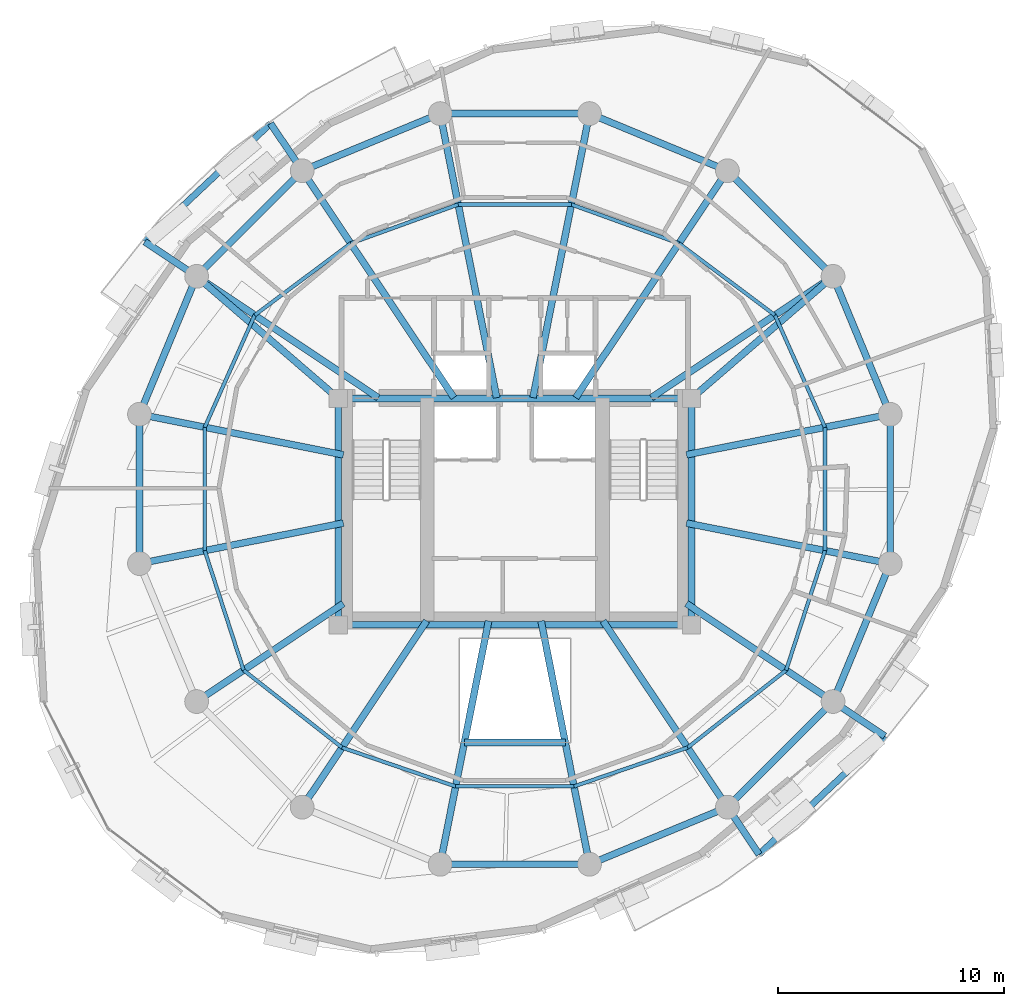
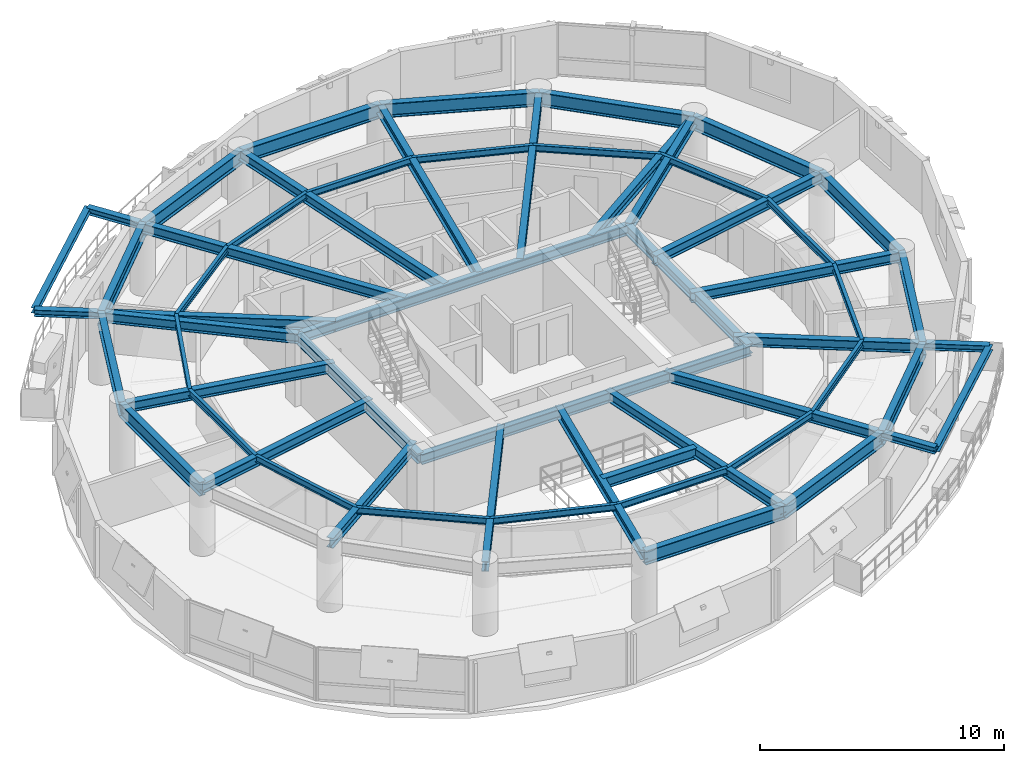
# One storey, part 5 of 12: 58 beams.
"""IFC4 building model written with IfcOpenShell, lengths in metres."""

from ifc_helpers import new_model, si_unit, direction, frame, origin, origin_2d, place, context, subcontext, project, spatial, i_section, extrude, material, material_profile, profile_set, type_object, element, save


model = new_model("IFC4")

# Units and contexts
model_context = context("Model", 3, precision=1e-05, world=origin(), true_north=direction((0.0, 1.0)))
body_context = subcontext(model_context, "Body", "Model", "MODEL_VIEW")
ifc_project = project(units=[si_unit("LENGTHUNIT", "METRE"), si_unit("AREAUNIT", "SQUARE_METRE"), si_unit("VOLUMEUNIT", "CUBIC_METRE"), si_unit("PLANEANGLEUNIT", "RADIAN"), si_unit("MASSUNIT", "GRAM", prefix="KILO"), si_unit("THERMODYNAMICTEMPERATUREUNIT", "KELVIN"), si_unit("POWERUNIT", "WATT")], contexts=[model_context])

# Site, building, storey
site_placement = place(None, origin())
site = spatial("IfcSite", under=ifc_project, at=site_placement, CompositionType="ELEMENT")
building_placement = place(site_placement, origin())
building = spatial("IfcBuilding", under=site, at=building_placement, Name="Ocrelia Relay Tower", CompositionType="ELEMENT")
storey_placement = place(building_placement, frame((0.0, 0.0, 198.800048828125)))
storey = spatial("IfcBuildingStorey", under=building, at=storey_placement, Name="L48", CompositionType="ELEMENT", Elevation=198.800048828125)

# Beams
ifc_material = material(Name="Steel S355", Category="steel")
ifc_material_profile_1 = material_profile(ifc_material, i_section(OverallWidth=0.280029296875, OverallDepth=0.27001953125, WebThickness=0.008056640625, FlangeThickness=0.012939453125, FilletRadius=0.02392578125, at=origin_2d()), Name="HEA 280")
ifc_profile_set_1 = profile_set([ifc_material_profile_1], Name="Steel S355")
beam_type_1 = type_object("IfcBeamType", Name="BM-HEA280", PredefinedType="BEAM", material=ifc_profile_set_1)
for number, where, z_axis, x_axis, name in (
    (1, (23.2158203125, 42.1396484375, 3.244873046875), (-0.728361680671, -0.685192864915, 0.0), (0.685192864915, -0.728361680671, 0.0), "L49 Balcony Edge Trimmer Beam B1"),
    (2, (44.7841796875, 9.8603515625, 3.244873046875), (0.728361680671, 0.685192864915, 0.0), (-0.685192864915, 0.728361680671, 0.0), "L49 Balcony Edge Trimmer Beam B2"),
):
    element("IfcBeam", number, at=place(storey_placement, frame(where, z_axis=z_axis, x_axis=x_axis)), inside=storey, type_object=beam_type_1, Name=name, PredefinedType="BEAM", context=body_context, shape_type="SweptSolid", body=[
        extrude(i_section(OverallWidth=0.280029296875, OverallDepth=0.27001953125, WebThickness=0.008056640625, FlangeThickness=0.012939453125, FilletRadius=0.02392578125, at=origin_2d()), origin(), (0.0, 0.0, 1.0), 7.62353515625),
    ])
ifc_material_profile_2 = material_profile(ifc_material, i_section(OverallWidth=0.300048828125, OverallDepth=0.330078125, WebThickness=0.009521484375, FlangeThickness=0.0166015625, FilletRadius=0.027099609375, at=origin_2d()), Name="HEA 340")
ifc_profile_set_2 = profile_set([ifc_material_profile_2], Name="Steel S355")
beam_type_2 = type_object("IfcBeamType", Name="BM-HEA340", PredefinedType="BEAM", material=ifc_profile_set_2)
beam_1_placement = place(storey_placement, frame((24.61083984375, 40.0517578125, 3.21484375), z_axis=(-0.555552507059, 0.831481456137, 0.0), x_axis=(-0.831481456137, -0.555552507059, 0.0)))
element("IfcBeam", 3, at=beam_1_placement, inside=storey, type_object=beam_type_2, Name="L49 Balcony Cantilever Beam B1-1", PredefinedType="BEAM", context=body_context, shape_type="SweptSolid", body=[
    extrude(i_section(OverallWidth=0.300048828125, OverallDepth=0.330078125, WebThickness=0.009521484375, FlangeThickness=0.0166015625, FilletRadius=0.027099609375, at=origin_2d()), origin(), (0.0, 0.0, 1.0), 2.510986328125),
])
beam_2_placement = place(storey_placement, frame((19.9482421875, 35.38916015625, 3.21484375), z_axis=(-0.831475851727, 0.555560894947, 0.0), x_axis=(-0.555560894947, -0.831475851727, 0.0)))
element("IfcBeam", 4, at=beam_2_placement, inside=storey, type_object=beam_type_2, Name="L49 Balcony Cantilever Beam B1-2", PredefinedType="BEAM", context=body_context, shape_type="SweptSolid", body=[
    extrude(i_section(OverallWidth=0.300048828125, OverallDepth=0.330078125, WebThickness=0.009521484375, FlangeThickness=0.0166015625, FilletRadius=0.027099609375, at=origin_2d()), origin(), (0.0, 0.0, 1.0), 2.748291015625),
])
beam_3_placement = place(storey_placement, frame((43.38916015625, 11.9482421875, 3.21484375), z_axis=(0.555552507059, -0.831481456137, 0.0), x_axis=(0.831481456137, 0.555552507059, 0.0)))
element("IfcBeam", 5, at=beam_3_placement, inside=storey, type_object=beam_type_2, Name="L49 Balcony Cantilever Beam B2-1", PredefinedType="BEAM", context=body_context, shape_type="SweptSolid", body=[
    extrude(i_section(OverallWidth=0.300048828125, OverallDepth=0.330078125, WebThickness=0.009521484375, FlangeThickness=0.0166015625, FilletRadius=0.027099609375, at=origin_2d()), origin(), (0.0, 0.0, 1.0), 2.510986328125),
])
beam_4_placement = place(storey_placement, frame((48.0517578125, 16.61083984375, 3.21484375), z_axis=(0.831475851727, -0.555560894947, 0.0), x_axis=(0.555560894947, 0.831475851727, 0.0)))
element("IfcBeam", 6, at=beam_4_placement, inside=storey, type_object=beam_type_2, Name="L49 Balcony Cantilever Beam B2-2", PredefinedType="BEAM", context=body_context, shape_type="SweptSolid", body=[
    extrude(i_section(OverallWidth=0.300048828125, OverallDepth=0.330078125, WebThickness=0.009521484375, FlangeThickness=0.0166015625, FilletRadius=0.027099609375, at=origin_2d()), origin(), (0.0, 0.0, 1.0), 2.748291015625),
])
ifc_material_profile_3 = material_profile(ifc_material, i_section(OverallWidth=0.300048828125, OverallDepth=0.5, WebThickness=0.014404296875, FlangeThickness=0.028076171875, FilletRadius=0.027099609375, at=origin_2d()), Name="HEB 500")
ifc_profile_set_3 = profile_set([ifc_material_profile_3], Name="Steel S355")
beam_type_3 = type_object("IfcBeamType", Name="BM-HEB500", PredefinedType="BEAM", material=ifc_profile_set_3)
for number, where, z_axis, x_axis, name in (
    (7, (26.199951171875, 20.0, 3.1298828125), (1.0, 0.0, 0.0), (0.0, 1.0, 0.0), "L48 Core Pilaster Tie Beam S"),
    (8, (26.199951171875, 30.0, 3.1298828125), (1.0, 0.0, 0.0), (0.0, 1.0, 0.0), "L48 Core Pilaster Tie Beam N"),
):
    element("IfcBeam", number, at=place(storey_placement, frame(where, z_axis=z_axis, x_axis=x_axis)), inside=storey, type_object=beam_type_3, Name=name, PredefinedType="BEAM", context=body_context, shape_type="SweptSolid", body=[
        extrude(i_section(OverallWidth=0.300048828125, OverallDepth=0.5, WebThickness=0.014404296875, FlangeThickness=0.028076171875, FilletRadius=0.027099609375, at=origin_2d()), origin(), (0.0, 0.0, 1.0), 15.60009765625),
    ])
for number, where, z_axis, x_axis, name in (
    (9, (26.199951171875, 20.0, 3.1298828125), (0.0, 1.0, 0.0), (-1.0, 0.0, 0.0), "L48 Core Pilaster Tie Beam W"),
    (10, (41.800048828125, 20.0, 3.1298828125), (0.0, 1.0, 0.0), (-1.0, 0.0, 0.0), "L48 Core Pilaster Tie Beam E"),
):
    element("IfcBeam", number, at=place(storey_placement, frame(where, z_axis=z_axis, x_axis=x_axis)), inside=storey, type_object=beam_type_3, Name=name, PredefinedType="BEAM", context=body_context, shape_type="SweptSolid", body=[
        extrude(i_section(OverallWidth=0.300048828125, OverallDepth=0.5, WebThickness=0.014404296875, FlangeThickness=0.028076171875, FilletRadius=0.027099609375, at=origin_2d()), origin(), (0.0, 0.0, 1.0), 10.0),
    ])
beam_5_placement = place(storey_placement, frame((50.5751953125, 29.297119140625, 3.1298828125), z_axis=(-0.980783891197, -0.1950973059, 0.0), x_axis=(0.1950973059, -0.980783891197, 0.0)))
element("IfcBeam", 11, at=beam_5_placement, inside=storey, type_object=beam_type_3, Name="L48 Radial Floor Girder R01", PredefinedType="BEAM", context=body_context, shape_type="SweptSolid", body=[
    extrude(i_section(OverallWidth=0.300048828125, OverallDepth=0.5, WebThickness=0.014404296875, FlangeThickness=0.028076171875, FilletRadius=0.027099609375, at=origin_2d()), origin(), (0.0, 0.0, 1.0), 9.17138671875),
])
beam_6_placement = place(storey_placement, frame((48.0517578125, 35.38916015625, 3.1298828125), z_axis=(-0.831469666235, -0.555570152305, 0.0), x_axis=(0.555570152305, -0.831469666235, 0.0)))
element("IfcBeam", 12, at=beam_6_placement, inside=storey, type_object=beam_type_3, Name="L48 Radial Floor Girder R02", PredefinedType="BEAM", context=body_context, shape_type="SweptSolid", body=[
    extrude(i_section(OverallWidth=0.300048828125, OverallDepth=0.5, WebThickness=0.014404296875, FlangeThickness=0.028076171875, FilletRadius=0.027099609375, at=origin_2d()), origin(), (0.0, 0.0, 1.0), 9.646240234375),
])
beam_7_placement = place(storey_placement, frame((48.0517578125, 35.38916015625, 3.1298828125), z_axis=(-0.757424589403, -0.652922653434, 0.0), x_axis=(0.652922653434, -0.757424589403, 0.0)))
element("IfcBeam", 13, at=beam_7_placement, inside=storey, type_object=beam_type_3, Name="L48 Core Pilaster Frame Tie Beam PT02", PredefinedType="BEAM", context=body_context, shape_type="SweptSolid", body=[
    extrude(i_section(OverallWidth=0.300048828125, OverallDepth=0.5, WebThickness=0.014404296875, FlangeThickness=0.028076171875, FilletRadius=0.027099609375, at=origin_2d()), origin(), (0.0, 0.0, 1.0), 8.25390625),
])
beam_8_placement = place(storey_placement, frame((43.38916015625, 40.0517578125, 3.1298828125), z_axis=(-0.55556932408, -0.831470219636, 0.0), x_axis=(0.831470219636, -0.55556932408, 0.0)))
element("IfcBeam", 14, at=beam_8_placement, inside=storey, type_object=beam_type_3, Name="L48 Radial Floor Girder R03", PredefinedType="BEAM", context=body_context, shape_type="SweptSolid", body=[
    extrude(i_section(OverallWidth=0.300048828125, OverallDepth=0.5, WebThickness=0.014404296875, FlangeThickness=0.028076171875, FilletRadius=0.027099609375, at=origin_2d()), origin(), (0.0, 0.0, 1.0), 12.052978515625),
])
for number, where, z_axis, x_axis, name in (
    (15, (37.297119140625, 42.5751953125, 3.1298828125), (-0.195106626135, -0.980782037171, 0.0), (0.980782037171, -0.195106626135, 0.0), "L48 Radial Floor Girder R04"),
    (16, (30.702880859375, 42.5751953125, 3.1298828125), (0.195106626135, -0.980782037171, 0.0), (0.980782037171, 0.195106626135, 0.0), "L48 Radial Floor Girder R05"),
):
    element("IfcBeam", number, at=place(storey_placement, frame(where, z_axis=z_axis, x_axis=x_axis)), inside=storey, type_object=beam_type_3, Name=name, PredefinedType="BEAM", context=body_context, shape_type="SweptSolid", body=[
        extrude(i_section(OverallWidth=0.300048828125, OverallDepth=0.5, WebThickness=0.014404296875, FlangeThickness=0.028076171875, FilletRadius=0.027099609375, at=origin_2d()), origin(), (0.0, 0.0, 1.0), 12.791015625),
    ])
beam_9_placement = place(storey_placement, frame((24.61083984375, 40.0517578125, 3.1298828125), z_axis=(0.55556932408, -0.831470219636, 0.0), x_axis=(0.831470219636, 0.55556932408, 0.0)))
element("IfcBeam", 17, at=beam_9_placement, inside=storey, type_object=beam_type_3, Name="L48 Radial Floor Girder R06", PredefinedType="BEAM", context=body_context, shape_type="SweptSolid", body=[
    extrude(i_section(OverallWidth=0.300048828125, OverallDepth=0.5, WebThickness=0.014404296875, FlangeThickness=0.028076171875, FilletRadius=0.027099609375, at=origin_2d()), origin(), (0.0, 0.0, 1.0), 12.052978515625),
])
beam_10_placement = place(storey_placement, frame((19.9482421875, 35.38916015625, 3.1298828125), z_axis=(0.831469666235, -0.555570152305, 0.0), x_axis=(0.555570152305, 0.831469666235, 0.0)))
element("IfcBeam", 18, at=beam_10_placement, inside=storey, type_object=beam_type_3, Name="L48 Radial Floor Girder R07", PredefinedType="BEAM", context=body_context, shape_type="SweptSolid", body=[
    extrude(i_section(OverallWidth=0.300048828125, OverallDepth=0.5, WebThickness=0.014404296875, FlangeThickness=0.028076171875, FilletRadius=0.027099609375, at=origin_2d()), origin(), (0.0, 0.0, 1.0), 9.646240234375),
])
beam_11_placement = place(storey_placement, frame((19.9482421875, 35.38916015625, 3.1298828125), z_axis=(0.757424589403, -0.652922653434, 0.0), x_axis=(0.652922653434, 0.757424589403, 0.0)))
element("IfcBeam", 19, at=beam_11_placement, inside=storey, type_object=beam_type_3, Name="L48 Core Pilaster Frame Tie Beam PT07", PredefinedType="BEAM", context=body_context, shape_type="SweptSolid", body=[
    extrude(i_section(OverallWidth=0.300048828125, OverallDepth=0.5, WebThickness=0.014404296875, FlangeThickness=0.028076171875, FilletRadius=0.027099609375, at=origin_2d()), origin(), (0.0, 0.0, 1.0), 8.25390625),
])
for number, where, z_axis, x_axis, name in (
    (20, (17.4248046875, 29.297119140625, 3.1298828125), (0.980784683446, -0.195093323097, 0.0), (0.195093323097, 0.980784683446, 0.0), "L48 Radial Floor Girder R08"),
    (21, (17.4248046875, 22.702880859375, 3.1298828125), (0.980784683446, 0.195093323097, 0.0), (-0.195093323097, 0.980784683446, 0.0), "L48 Radial Floor Girder R09"),
):
    element("IfcBeam", number, at=place(storey_placement, frame(where, z_axis=z_axis, x_axis=x_axis)), inside=storey, type_object=beam_type_3, Name=name, PredefinedType="BEAM", context=body_context, shape_type="SweptSolid", body=[
        extrude(i_section(OverallWidth=0.300048828125, OverallDepth=0.5, WebThickness=0.014404296875, FlangeThickness=0.028076171875, FilletRadius=0.027099609375, at=origin_2d()), origin(), (0.0, 0.0, 1.0), 9.181640625),
    ])
beam_12_placement = place(storey_placement, frame((19.9482421875, 16.61083984375, 3.1298828125), z_axis=(0.831462012084, 0.555581607382, 0.0), x_axis=(-0.555581607382, 0.831462012084, 0.0)))
element("IfcBeam", 22, at=beam_12_placement, inside=storey, type_object=beam_type_3, Name="L48 Radial Floor Girder R10", PredefinedType="BEAM", context=body_context, shape_type="SweptSolid", body=[
    extrude(i_section(OverallWidth=0.300048828125, OverallDepth=0.5, WebThickness=0.014404296875, FlangeThickness=0.028076171875, FilletRadius=0.027099609375, at=origin_2d()), origin(), (0.0, 0.0, 1.0), 7.795654296875),
])
beam_13_placement = place(storey_placement, frame((24.61083984375, 11.9482421875, 3.1298828125), z_axis=(0.555577337069, 0.831464865485, 0.0), x_axis=(-0.831464865485, 0.555577337069, 0.0)))
element("IfcBeam", 23, at=beam_13_placement, inside=storey, type_object=beam_type_3, Name="L48 Radial Floor Girder R11", PredefinedType="BEAM", context=body_context, shape_type="SweptSolid", body=[
    extrude(i_section(OverallWidth=0.300048828125, OverallDepth=0.5, WebThickness=0.014404296875, FlangeThickness=0.028076171875, FilletRadius=0.027099609375, at=origin_2d()), origin(), (0.0, 0.0, 1.0), 9.88818359375),
])
for number, where, z_axis, x_axis, name in (
    (24, (30.702880859375, 9.4248046875, 3.1298828125), (0.195100373206, 0.980783281044, 0.0), (-0.980783281044, 0.195100373206, 0.0), "L48 Radial Floor Girder R12"),
    (25, (37.297119140625, 9.4248046875, 3.1298828125), (-0.195100373206, 0.980783281044, 0.0), (-0.980783281044, -0.195100373206, 0.0), "L48 Radial Floor Girder R13"),
):
    element("IfcBeam", number, at=place(storey_placement, frame(where, z_axis=z_axis, x_axis=x_axis)), inside=storey, type_object=beam_type_3, Name=name, PredefinedType="BEAM", context=body_context, shape_type="SweptSolid", body=[
        extrude(i_section(OverallWidth=0.300048828125, OverallDepth=0.5, WebThickness=0.014404296875, FlangeThickness=0.028076171875, FilletRadius=0.027099609375, at=origin_2d()), origin(), (0.0, 0.0, 1.0), 10.95556640625),
    ])
beam_14_placement = place(storey_placement, frame((43.38916015625, 11.9482421875, 3.1298828125), z_axis=(-0.555577337069, 0.831464865485, 0.0), x_axis=(-0.831464865485, -0.555577337069, 0.0)))
element("IfcBeam", 26, at=beam_14_placement, inside=storey, type_object=beam_type_3, Name="L48 Radial Floor Girder R14", PredefinedType="BEAM", context=body_context, shape_type="SweptSolid", body=[
    extrude(i_section(OverallWidth=0.300048828125, OverallDepth=0.5, WebThickness=0.014404296875, FlangeThickness=0.028076171875, FilletRadius=0.027099609375, at=origin_2d()), origin(), (0.0, 0.0, 1.0), 9.88818359375),
])
beam_15_placement = place(storey_placement, frame((48.0517578125, 16.61083984375, 3.1298828125), z_axis=(-0.831456272244, 0.555590197309, 0.0), x_axis=(-0.555590197309, -0.831456272244, 0.0)))
element("IfcBeam", 27, at=beam_15_placement, inside=storey, type_object=beam_type_3, Name="L48 Radial Floor Girder R15", PredefinedType="BEAM", context=body_context, shape_type="SweptSolid", body=[
    extrude(i_section(OverallWidth=0.300048828125, OverallDepth=0.5, WebThickness=0.014404296875, FlangeThickness=0.028076171875, FilletRadius=0.027099609375, at=origin_2d()), origin(), (0.0, 0.0, 1.0), 7.783447265625),
])
beam_16_placement = place(storey_placement, frame((50.5751953125, 22.702880859375, 3.1298828125), z_axis=(-0.980783891197, 0.1950973059, 0.0), x_axis=(-0.1950973059, -0.980783891197, 0.0)))
element("IfcBeam", 28, at=beam_16_placement, inside=storey, type_object=beam_type_3, Name="L48 Radial Floor Girder R16", PredefinedType="BEAM", context=body_context, shape_type="SweptSolid", body=[
    extrude(i_section(OverallWidth=0.300048828125, OverallDepth=0.5, WebThickness=0.014404296875, FlangeThickness=0.028076171875, FilletRadius=0.027099609375, at=origin_2d()), origin(), (0.0, 0.0, 1.0), 9.17138671875),
])
ifc_material_profile_4 = material_profile(ifc_material, i_section(OverallWidth=0.300048828125, OverallDepth=0.550048828125, WebThickness=0.014892578125, FlangeThickness=0.029052734375, FilletRadius=0.027099609375, at=origin_2d()), Name="HEB 550")
ifc_profile_set_4 = profile_set([ifc_material_profile_4], Name="Steel S355")
beam_type_4 = type_object("IfcBeamType", Name="BM-HEB550", PredefinedType="BEAM", material=ifc_profile_set_4)
beam_17_placement = place(storey_placement, frame((31.772216796875, 14.800048828125, 3.10498046875), z_axis=(1.0, 0.0, 0.0), x_axis=(0.0, 1.0, 0.0)))
element("IfcBeam", 29, at=beam_17_placement, inside=storey, type_object=beam_type_4, Name="L48 Atrium South Trimmer Beam", PredefinedType="BEAM", context=body_context, shape_type="SweptSolid", body=[
    extrude(i_section(OverallWidth=0.300048828125, OverallDepth=0.550048828125, WebThickness=0.014892578125, FlangeThickness=0.029052734375, FilletRadius=0.027099609375, at=origin_2d()), origin(), (0.0, 0.0, 1.0), 4.45556640625),
])
ifc_material_profile_5 = material_profile(ifc_material, i_section(OverallWidth=0.300048828125, OverallDepth=0.699951171875, WebThickness=0.01708984375, FlangeThickness=0.031982421875, FilletRadius=0.027099609375, at=origin_2d()), Name="HEB 700")
ifc_profile_set_5 = profile_set([ifc_material_profile_5], Name="Steel S355")
beam_type_5 = type_object("IfcBeamType", Name="BM-HEB700", PredefinedType="BEAM", material=ifc_profile_set_5)
for number, where, z_axis, x_axis, name in (
    (30, (50.5751953125, 29.297119140625, 3.030029296875), (-0.382687508402, 0.923877844151, 0.0), (-0.923877844151, -0.382687508402, 0.0), "L48 Perimeter Spandrel Beam S01"),
    (31, (48.0517578125, 35.38916015625, 3.030029296875), (-0.707106781187, 0.707106781187, 0.0), (-0.707106781187, -0.707106781187, 0.0), "L48 Perimeter Spandrel Beam S02"),
    (32, (43.38916015625, 40.0517578125, 3.030029296875), (-0.923877844151, 0.382687508402, 0.0), (-0.382687508402, -0.923877844151, 0.0), "L48 Perimeter Spandrel Beam S03"),
):
    element("IfcBeam", number, at=place(storey_placement, frame(where, z_axis=z_axis, x_axis=x_axis)), inside=storey, type_object=beam_type_5, Name=name, PredefinedType="BEAM", context=body_context, shape_type="SweptSolid", body=[
        extrude(i_section(OverallWidth=0.300048828125, OverallDepth=0.699951171875, WebThickness=0.01708984375, FlangeThickness=0.031982421875, FilletRadius=0.027099609375, at=origin_2d()), origin(), (0.0, 0.0, 1.0), 6.593994140625),
    ])
beam_18_placement = place(storey_placement, frame((37.297119140625, 42.5751953125, 3.030029296875), z_axis=(-1.0, 0.0, 0.0), x_axis=(0.0, -1.0, 0.0)))
element("IfcBeam", 33, at=beam_18_placement, inside=storey, type_object=beam_type_5, Name="L48 Perimeter Spandrel Beam S04", PredefinedType="BEAM", context=body_context, shape_type="SweptSolid", body=[
    extrude(i_section(OverallWidth=0.300048828125, OverallDepth=0.699951171875, WebThickness=0.01708984375, FlangeThickness=0.031982421875, FilletRadius=0.027099609375, at=origin_2d()), origin(), (0.0, 0.0, 1.0), 6.59423828125),
])
for number, where, z_axis, x_axis, name in (
    (34, (30.702880859375, 42.5751953125, 3.030029296875), (-0.923877844151, -0.382687508402, 0.0), (0.382687508402, -0.923877844151, 0.0), "L48 Perimeter Spandrel Beam S05"),
    (35, (24.61083984375, 40.0517578125, 3.030029296875), (-0.707106781187, -0.707106781187, 0.0), (0.707106781187, -0.707106781187, 0.0), "L48 Perimeter Spandrel Beam S06"),
    (36, (19.9482421875, 35.38916015625, 3.030029296875), (-0.382687508402, -0.923877844151, 0.0), (0.923877844151, -0.382687508402, 0.0), "L48 Perimeter Spandrel Beam S07"),
):
    element("IfcBeam", number, at=place(storey_placement, frame(where, z_axis=z_axis, x_axis=x_axis)), inside=storey, type_object=beam_type_5, Name=name, PredefinedType="BEAM", context=body_context, shape_type="SweptSolid", body=[
        extrude(i_section(OverallWidth=0.300048828125, OverallDepth=0.699951171875, WebThickness=0.01708984375, FlangeThickness=0.031982421875, FilletRadius=0.027099609375, at=origin_2d()), origin(), (0.0, 0.0, 1.0), 6.593994140625),
    ])
for number, where, z_axis, x_axis, name in (
    (37, (17.4248046875, 29.297119140625, 3.030029296875), (0.0, -1.0, 0.0), (1.0, 0.0, 0.0), "L48 Perimeter Spandrel Beam S08"),
    (38, (30.702880859375, 9.4248046875, 3.030029296875), (1.0, 0.0, 0.0), (0.0, 1.0, 0.0), "L48 Perimeter Spandrel Beam S12"),
):
    element("IfcBeam", number, at=place(storey_placement, frame(where, z_axis=z_axis, x_axis=x_axis)), inside=storey, type_object=beam_type_5, Name=name, PredefinedType="BEAM", context=body_context, shape_type="SweptSolid", body=[
        extrude(i_section(OverallWidth=0.300048828125, OverallDepth=0.699951171875, WebThickness=0.01708984375, FlangeThickness=0.031982421875, FilletRadius=0.027099609375, at=origin_2d()), origin(), (0.0, 0.0, 1.0), 6.59423828125),
    ])
for number, where, z_axis, x_axis, name in (
    (39, (37.297119140625, 9.4248046875, 3.030029296875), (0.923877844151, 0.382687508402, 0.0), (-0.382687508402, 0.923877844151, 0.0), "L48 Perimeter Spandrel Beam S13"),
    (40, (43.38916015625, 11.9482421875, 3.030029296875), (0.707106781187, 0.707106781187, 0.0), (-0.707106781187, 0.707106781187, 0.0), "L48 Perimeter Spandrel Beam S14"),
    (41, (48.0517578125, 16.61083984375, 3.030029296875), (0.382687508402, 0.923877844151, 0.0), (-0.923877844151, 0.382687508402, 0.0), "L48 Perimeter Spandrel Beam S15"),
):
    element("IfcBeam", number, at=place(storey_placement, frame(where, z_axis=z_axis, x_axis=x_axis)), inside=storey, type_object=beam_type_5, Name=name, PredefinedType="BEAM", context=body_context, shape_type="SweptSolid", body=[
        extrude(i_section(OverallWidth=0.300048828125, OverallDepth=0.699951171875, WebThickness=0.01708984375, FlangeThickness=0.031982421875, FilletRadius=0.027099609375, at=origin_2d()), origin(), (0.0, 0.0, 1.0), 6.593994140625),
    ])
beam_19_placement = place(storey_placement, frame((50.5751953125, 22.702880859375, 3.030029296875), z_axis=(0.0, 1.0, 0.0), x_axis=(-1.0, 0.0, 0.0)))
element("IfcBeam", 42, at=beam_19_placement, inside=storey, type_object=beam_type_5, Name="L48 Perimeter Spandrel Beam S16", PredefinedType="BEAM", context=body_context, shape_type="SweptSolid", body=[
    extrude(i_section(OverallWidth=0.300048828125, OverallDepth=0.699951171875, WebThickness=0.01708984375, FlangeThickness=0.031982421875, FilletRadius=0.027099609375, at=origin_2d()), origin(), (0.0, 0.0, 1.0), 6.59423828125),
])
ifc_material_profile_6 = material_profile(ifc_material, i_section(OverallWidth=0.159912109375, OverallDepth=0.330078125, WebThickness=0.007568359375, FlangeThickness=0.011474609375, FilletRadius=0.01806640625, at=origin_2d()), Name="IPE 330")
ifc_profile_set_6 = profile_set([ifc_material_profile_6], Name="Steel S355")
beam_type_6 = type_object("IfcBeamType", Name="BM-IPE330", PredefinedType="JOIST", material=ifc_profile_set_6)
beam_20_placement = place(storey_placement, frame((47.69677734375, 28.724365234375, 3.21484375), z_axis=(-0.407938464853, 0.913009424318, 0.0), x_axis=(-0.913009424318, -0.407938464853, 0.0)))
element("IfcBeam", 43, at=beam_20_placement, inside=storey, type_object=beam_type_6, Name="L48 Secondary Floor Joist J01", PredefinedType="JOIST", context=body_context, shape_type="SweptSolid", body=[
    extrude(i_section(OverallWidth=0.159912109375, OverallDepth=0.330078125, WebThickness=0.007568359375, FlangeThickness=0.011474609375, FilletRadius=0.01806640625, at=origin_2d()), origin(), (0.0, 0.0, 1.0), 5.421630859375),
])
beam_21_placement = place(storey_placement, frame((45.485107421875, 33.67431640625, 3.21484375), z_axis=(-0.800785247359, 0.598951573678, 0.0), x_axis=(-0.598951573678, -0.800785247359, 0.0)))
element("IfcBeam", 44, at=beam_21_placement, inside=storey, type_object=beam_type_6, Name="L48 Secondary Floor Joist J02", PredefinedType="JOIST", context=body_context, shape_type="SweptSolid", body=[
    extrude(i_section(OverallWidth=0.159912109375, OverallDepth=0.330078125, WebThickness=0.007568359375, FlangeThickness=0.011474609375, FilletRadius=0.01806640625, at=origin_2d()), origin(), (0.0, 0.0, 1.0), 5.293212890625),
])
beam_22_placement = place(storey_placement, frame((41.246337890625, 36.8447265625, 3.21484375), z_axis=(-0.940453871246, 0.339921338046, 0.0), x_axis=(-0.339921338046, -0.940453871246, 0.0)))
element("IfcBeam", 45, at=beam_22_placement, inside=storey, type_object=beam_type_6, Name="L48 Secondary Floor Joist J03", PredefinedType="JOIST", context=body_context, shape_type="SweptSolid", body=[
    extrude(i_section(OverallWidth=0.159912109375, OverallDepth=0.330078125, WebThickness=0.007568359375, FlangeThickness=0.011474609375, FilletRadius=0.01806640625, at=origin_2d()), origin(), (0.0, 0.0, 1.0), 5.04833984375),
])
beam_23_placement = place(storey_placement, frame((36.49853515625, 38.560791015625, 3.21484375), z_axis=(-1.0, 0.0, 0.0), x_axis=(0.0, -1.0, 0.0)))
element("IfcBeam", 46, at=beam_23_placement, inside=storey, type_object=beam_type_6, Name="L48 Secondary Floor Joist J04", PredefinedType="JOIST", context=body_context, shape_type="SweptSolid", body=[
    extrude(i_section(OverallWidth=0.159912109375, OverallDepth=0.330078125, WebThickness=0.007568359375, FlangeThickness=0.011474609375, FilletRadius=0.01806640625, at=origin_2d()), origin(), (0.0, 0.0, 1.0), 4.9970703125),
])
beam_24_placement = place(storey_placement, frame((31.50146484375, 38.560791015625, 3.21484375), z_axis=(-0.940453871246, -0.339921338046, 0.0), x_axis=(0.339921338046, -0.940453871246, 0.0)))
element("IfcBeam", 47, at=beam_24_placement, inside=storey, type_object=beam_type_6, Name="L48 Secondary Floor Joist J05", PredefinedType="JOIST", context=body_context, shape_type="SweptSolid", body=[
    extrude(i_section(OverallWidth=0.159912109375, OverallDepth=0.330078125, WebThickness=0.007568359375, FlangeThickness=0.011474609375, FilletRadius=0.01806640625, at=origin_2d()), origin(), (0.0, 0.0, 1.0), 5.04833984375),
])
beam_25_placement = place(storey_placement, frame((26.753662109375, 36.8447265625, 3.21484375), z_axis=(-0.800785247359, -0.598951573678, 0.0), x_axis=(0.598951573678, -0.800785247359, 0.0)))
element("IfcBeam", 48, at=beam_25_placement, inside=storey, type_object=beam_type_6, Name="L48 Secondary Floor Joist J06", PredefinedType="JOIST", context=body_context, shape_type="SweptSolid", body=[
    extrude(i_section(OverallWidth=0.159912109375, OverallDepth=0.330078125, WebThickness=0.007568359375, FlangeThickness=0.011474609375, FilletRadius=0.01806640625, at=origin_2d()), origin(), (0.0, 0.0, 1.0), 5.293212890625),
])
beam_26_placement = place(storey_placement, frame((22.514892578125, 33.67431640625, 3.21484375), z_axis=(-0.407416785709, -0.913242335157, 0.0), x_axis=(0.913242335157, -0.407416785709, 0.0)))
element("IfcBeam", 49, at=beam_26_placement, inside=storey, type_object=beam_type_6, Name="L48 Secondary Floor Joist J07", PredefinedType="JOIST", context=body_context, shape_type="SweptSolid", body=[
    extrude(i_section(OverallWidth=0.159912109375, OverallDepth=0.330078125, WebThickness=0.007568359375, FlangeThickness=0.011474609375, FilletRadius=0.01806640625, at=origin_2d()), origin(), (0.0, 0.0, 1.0), 5.420654296875),
])
beam_27_placement = place(storey_placement, frame((20.306396484375, 28.723876953125, 3.21484375), z_axis=(0.0, -1.0, 0.0), x_axis=(1.0, 0.0, 0.0)))
element("IfcBeam", 50, at=beam_27_placement, inside=storey, type_object=beam_type_6, Name="L48 Secondary Floor Joist J08", PredefinedType="JOIST", context=body_context, shape_type="SweptSolid", body=[
    extrude(i_section(OverallWidth=0.159912109375, OverallDepth=0.330078125, WebThickness=0.007568359375, FlangeThickness=0.011474609375, FilletRadius=0.01806640625, at=origin_2d()), origin(), (0.0, 0.0, 1.0), 5.44775390625),
])
beam_28_placement = place(storey_placement, frame((20.306396484375, 23.276123046875, 3.21484375), z_axis=(0.309133805786, -0.951018554036, 0.0), x_axis=(0.951018554036, 0.309133805786, 0.0)))
element("IfcBeam", 51, at=beam_28_placement, inside=storey, type_object=beam_type_6, Name="L48 Secondary Floor Joist J09", PredefinedType="JOIST", context=body_context, shape_type="SweptSolid", body=[
    extrude(i_section(OverallWidth=0.159912109375, OverallDepth=0.330078125, WebThickness=0.007568359375, FlangeThickness=0.011474609375, FilletRadius=0.01806640625, at=origin_2d()), origin(), (0.0, 0.0, 1.0), 5.55126953125),
])
beam_29_placement = place(storey_placement, frame((22.0224609375, 17.996826171875, 3.21484375), z_axis=(0.786083859045, -0.618119864224, 0.0), x_axis=(0.618119864224, 0.786083859045, 0.0)))
element("IfcBeam", 52, at=beam_29_placement, inside=storey, type_object=beam_type_6, Name="L48 Secondary Floor Joist J10", PredefinedType="JOIST", context=body_context, shape_type="SweptSolid", body=[
    extrude(i_section(OverallWidth=0.159912109375, OverallDepth=0.330078125, WebThickness=0.007568359375, FlangeThickness=0.011474609375, FilletRadius=0.01806640625, at=origin_2d()), origin(), (0.0, 0.0, 1.0), 5.529296875),
])
beam_30_placement = place(storey_placement, frame((26.368896484375, 14.5791015625, 3.21484375), z_axis=(0.946215174492, -0.323538009454, 0.0), x_axis=(0.323538009454, 0.946215174492, 0.0)))
element("IfcBeam", 53, at=beam_30_placement, inside=storey, type_object=beam_type_6, Name="L48 Secondary Floor Joist J11", PredefinedType="JOIST", context=body_context, shape_type="SweptSolid", body=[
    extrude(i_section(OverallWidth=0.159912109375, OverallDepth=0.330078125, WebThickness=0.007568359375, FlangeThickness=0.011474609375, FilletRadius=0.01806640625, at=origin_2d()), origin(), (0.0, 0.0, 1.0), 5.30322265625),
])
beam_31_placement = place(storey_placement, frame((31.386962890625, 12.86328125, 3.21484375), z_axis=(1.0, 0.0, 0.0), x_axis=(0.0, 1.0, 0.0)))
element("IfcBeam", 54, at=beam_31_placement, inside=storey, type_object=beam_type_6, Name="L48 Secondary Floor Joist J12", PredefinedType="JOIST", context=body_context, shape_type="SweptSolid", body=[
    extrude(i_section(OverallWidth=0.159912109375, OverallDepth=0.330078125, WebThickness=0.007568359375, FlangeThickness=0.011474609375, FilletRadius=0.01806640625, at=origin_2d()), origin(), (0.0, 0.0, 1.0), 5.22607421875),
])
beam_32_placement = place(storey_placement, frame((36.613037109375, 12.86328125, 3.21484375), z_axis=(0.946215174492, 0.323538009454, 0.0), x_axis=(-0.323538009454, 0.946215174492, 0.0)))
element("IfcBeam", 55, at=beam_32_placement, inside=storey, type_object=beam_type_6, Name="L48 Secondary Floor Joist J13", PredefinedType="JOIST", context=body_context, shape_type="SweptSolid", body=[
    extrude(i_section(OverallWidth=0.159912109375, OverallDepth=0.330078125, WebThickness=0.007568359375, FlangeThickness=0.011474609375, FilletRadius=0.01806640625, at=origin_2d()), origin(), (0.0, 0.0, 1.0), 5.30322265625),
])
beam_33_placement = place(storey_placement, frame((41.631103515625, 14.5791015625, 3.21484375), z_axis=(0.78649600233, 0.617595367793, 0.0), x_axis=(-0.617595367793, 0.78649600233, 0.0)))
element("IfcBeam", 56, at=beam_33_placement, inside=storey, type_object=beam_type_6, Name="L48 Secondary Floor Joist J14", PredefinedType="JOIST", context=body_context, shape_type="SweptSolid", body=[
    extrude(i_section(OverallWidth=0.159912109375, OverallDepth=0.330078125, WebThickness=0.007568359375, FlangeThickness=0.011474609375, FilletRadius=0.01806640625, at=origin_2d()), origin(), (0.0, 0.0, 1.0), 5.5302734375),
])
beam_34_placement = place(storey_placement, frame((45.980712890625, 17.99462890625, 3.21484375), z_axis=(0.309043322978, 0.95104796121, 0.0), x_axis=(-0.95104796121, 0.309043322978, 0.0)))
element("IfcBeam", 57, at=beam_34_placement, inside=storey, type_object=beam_type_6, Name="L48 Secondary Floor Joist J15", PredefinedType="JOIST", context=body_context, shape_type="SweptSolid", body=[
    extrude(i_section(OverallWidth=0.159912109375, OverallDepth=0.330078125, WebThickness=0.007568359375, FlangeThickness=0.011474609375, FilletRadius=0.01806640625, at=origin_2d()), origin(), (0.0, 0.0, 1.0), 5.552734375),
])
beam_35_placement = place(storey_placement, frame((47.69677734375, 23.275634765625, 3.21484375), z_axis=(0.0, 1.0, 0.0), x_axis=(-1.0, 0.0, 0.0)))
element("IfcBeam", 58, at=beam_35_placement, inside=storey, type_object=beam_type_6, Name="L48 Secondary Floor Joist J16", PredefinedType="JOIST", context=body_context, shape_type="SweptSolid", body=[
    extrude(i_section(OverallWidth=0.159912109375, OverallDepth=0.330078125, WebThickness=0.007568359375, FlangeThickness=0.011474609375, FilletRadius=0.01806640625, at=origin_2d()), origin(), (0.0, 0.0, 1.0), 5.44873046875),
])

save(model, "model.ifc")
